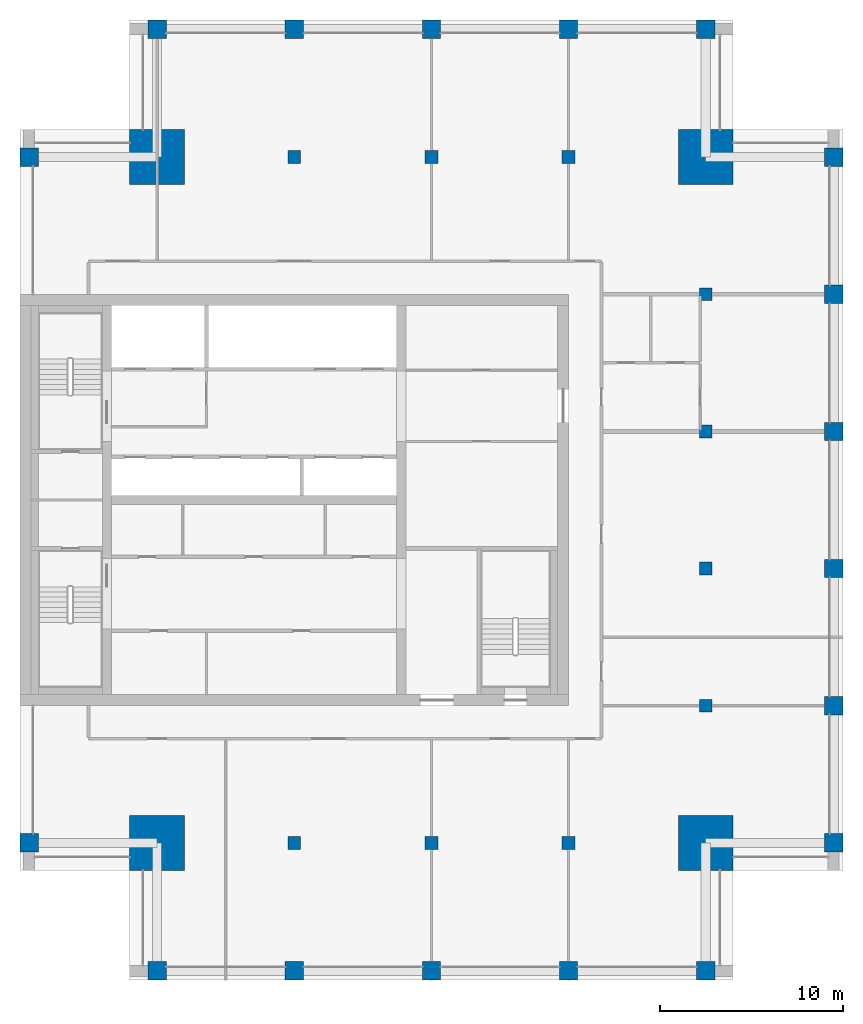
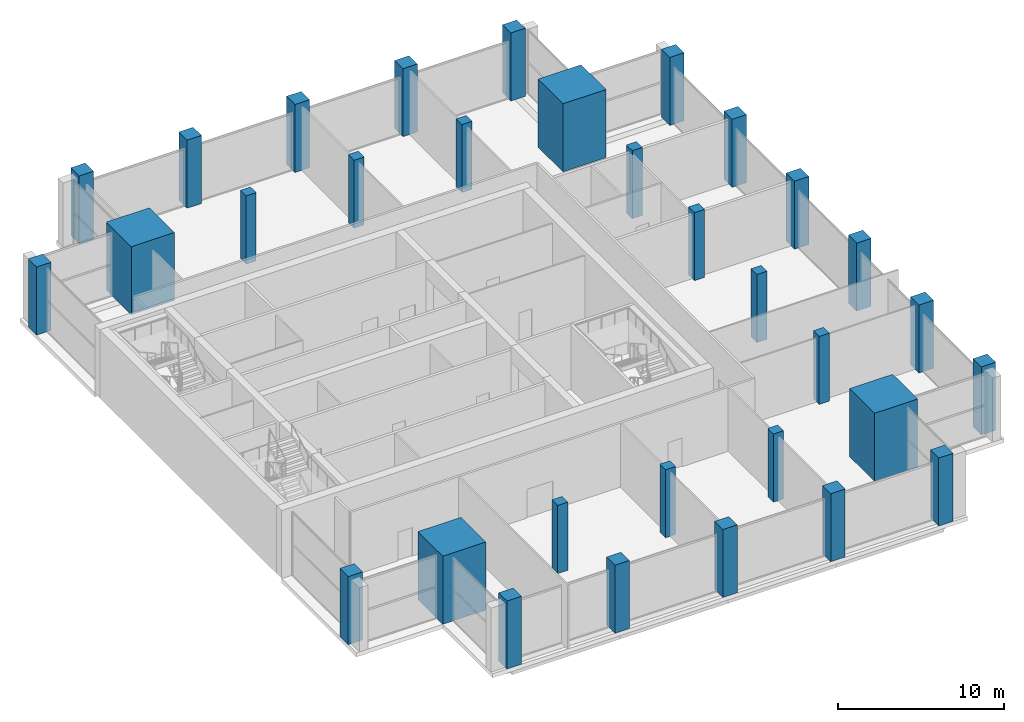
# One storey, part 1 of 15: 32 columns.
"""IFC4 building model written with IfcOpenShell, lengths in metres."""

from ifc_helpers import new_model, si_unit, direction, frame, origin, origin_2d, place, context, subcontext, project, spatial, rectangle, extrude, material, material_profile, profile_set, type_object, element, save


model = new_model("IFC4")

# Units and contexts
model_context = context("Model", 3, precision=1e-05, world=origin(), true_north=direction((0.0, 1.0)))
body_context = subcontext(model_context, "Body", "Model", "MODEL_VIEW")
ifc_project = project(units=[si_unit("LENGTHUNIT", "METRE"), si_unit("AREAUNIT", "SQUARE_METRE"), si_unit("VOLUMEUNIT", "CUBIC_METRE"), si_unit("PLANEANGLEUNIT", "RADIAN"), si_unit("MASSUNIT", "GRAM", prefix="KILO")], contexts=[model_context])

# Site, building, storey
site_placement = place(None, origin())
site = spatial("IfcSite", under=ifc_project, at=site_placement, CompositionType="ELEMENT")
building_placement = place(site_placement, origin())
building = spatial("IfcBuilding", under=site, at=building_placement, Name="Tamorin Gate", CompositionType="ELEMENT")
storey_placement = place(building_placement, frame((0.0, 0.0, 297.699951171875)))
storey = spatial("IfcBuildingStorey", under=building, at=storey_placement, Name="L74", CompositionType="ELEMENT", Elevation=297.699951171875)

# Columns
ifc_material = material(Name="Concrete C50/60", Category="concrete")
ifc_material_profile_1 = material_profile(ifc_material, rectangle(XDim=1.0, YDim=1.0, at=origin_2d()), Name="RC 1000x1000")
ifc_profile_set_1 = profile_set([ifc_material_profile_1], Name="Concrete C50/60")
column_type_1 = type_object("IfcColumnType", Name="RC column 1000x1000 C50/60", PredefinedType="COLUMN", material=ifc_profile_set_1)
for number, where, z_axis, x_axis, name in (
    (1, (30.5, 52.5, 0.0), (0.0, 0.0, 1.0), (1.0, 0.0, 0.0), "Ring column L74"),
    (2, (30.5, 90.0, 0.0), (0.0, 0.0, 1.0), (1.0, 0.0, 0.0), "Ring column L74"),
    (3, (37.5, 45.5, 0.0), (0.0, 0.0, 1.0), (1.0, 0.0, 0.0), "Ring column L74"),
    (4, (37.5, 97.0, 0.0), (0.0, 0.0, 1.0), (1.0, 0.0, 0.0), "Ring column L74"),
    (5, (45.0, 45.5, 0.0), (0.0, 0.0, 1.0), (1.0, 0.0, 0.0), "Ring column L74"),
    (6, (45.0, 97.0, 0.0), (0.0, 0.0, 1.0), (1.0, 0.0, 0.0), "Ring column L74"),
    (7, (52.5, 45.5, 0.0), (0.0, 0.0, 1.0), (1.0, 0.0, 0.0), "Ring column L74"),
    (8, (52.5, 97.0, 0.0), (0.0, 0.0, 1.0), (1.0, 0.0, 0.0), "Ring column L74"),
    (9, (60.0, 45.5, 0.0), (0.0, 0.0, 1.0), (1.0, 0.0, 0.0), "Ring column L74"),
    (10, (60.0, 97.0, 0.0), (0.0, 0.0, 1.0), (1.0, 0.0, 0.0), "Ring column L74"),
    (11, (67.5, 45.5, 0.0), (0.0, 0.0, 1.0), (1.0, 0.0, 0.0), "Ring column L74"),
    (12, (67.5, 97.0, 0.0), (0.0, 0.0, 1.0), (1.0, 0.0, 0.0), "Ring column L74"),
    (13, (74.5, 52.5, 0.0), (0.0, 0.0, 1.0), (1.0, 0.0, 0.0), "Ring column L74"),
    (14, (74.5, 60.0, 0.0), (0.0, 0.0, 1.0), (1.0, 0.0, 0.0), "Ring column L74"),
    (15, (74.5, 67.5, 0.0), (0.0, 0.0, 1.0), (1.0, 0.0, 0.0), "Ring column L74"),
    (16, (74.5, 75.0, 0.0), (0.0, 0.0, 1.0), (1.0, 0.0, 0.0), "Ring column L74"),
    (17, (74.5, 82.5, 0.0), (0.0, 0.0, 1.0), (1.0, 0.0, 0.0), "Ring column L74"),
    (18, (74.5, 90.0, 0.0), (0.0, 0.0, 1.0), (1.0, 0.0, 0.0), "Ring column L74"),
):
    element("IfcColumn", number, at=place(storey_placement, frame(where, z_axis=z_axis, x_axis=x_axis)), inside=storey, type_object=column_type_1, Name=name, PredefinedType="COLUMN", context=body_context, shape_type="SweptSolid", body=[
        extrude(rectangle(XDim=1.0, YDim=1.0, at=origin_2d()), origin(), (0.0, 0.0, 1.0), 5.0),
    ])
ifc_material_profile_2 = material_profile(ifc_material, rectangle(XDim=3.0, YDim=3.0, at=origin_2d()), Name="RC 3000x3000")
ifc_profile_set_2 = profile_set([ifc_material_profile_2], Name="Concrete C50/60")
column_type_2 = type_object("IfcColumnType", Name="RC column 3000x3000 C50/60", PredefinedType="COLUMN", material=ifc_profile_set_2)
for number, where, z_axis, x_axis, name in (
    (19, (37.5, 52.5, 0.0), (0.0, 0.0, 1.0), (1.0, 0.0, 0.0), "Mega column SW L74"),
    (20, (67.5, 52.5, 0.0), (0.0, 0.0, 1.0), (1.0, 0.0, 0.0), "Mega column SE L74"),
    (21, (37.5, 90.0, 0.0), (0.0, 0.0, 1.0), (1.0, 0.0, 0.0), "Mega column NW L74"),
    (22, (67.5, 90.0, 0.0), (0.0, 0.0, 1.0), (1.0, 0.0, 0.0), "Mega column NE L74"),
):
    element("IfcColumn", number, at=place(storey_placement, frame(where, z_axis=z_axis, x_axis=x_axis)), inside=storey, type_object=column_type_2, Name=name, PredefinedType="COLUMN", context=body_context, shape_type="SweptSolid", body=[
        extrude(rectangle(XDim=3.0, YDim=3.0, at=origin_2d()), origin(), (0.0, 0.0, 1.0), 5.0),
    ])
ifc_material_profile_3 = material_profile(ifc_material, rectangle(XDim=0.699951171875, YDim=0.699951171875, at=origin_2d()), Name="RC 700x700")
ifc_profile_set_3 = profile_set([ifc_material_profile_3], Name="Concrete C50/60")
column_type_3 = type_object("IfcColumnType", Name="RC column 700x700 C50/60", PredefinedType="COLUMN", material=ifc_profile_set_3)
for number, where, z_axis, x_axis, name in (
    (23, (45.0, 52.5, 0.0), (0.0, 0.0, 1.0), (1.0, 0.0, 0.0), "Interior column L74"),
    (24, (45.0, 90.0, 0.0), (0.0, 0.0, 1.0), (1.0, 0.0, 0.0), "Interior column L74"),
    (25, (52.5, 52.5, 0.0), (0.0, 0.0, 1.0), (1.0, 0.0, 0.0), "Interior column L74"),
    (26, (52.5, 90.0, 0.0), (0.0, 0.0, 1.0), (1.0, 0.0, 0.0), "Interior column L74"),
    (27, (60.0, 52.5, 0.0), (0.0, 0.0, 1.0), (1.0, 0.0, 0.0), "Interior column L74"),
    (28, (60.0, 90.0, 0.0), (0.0, 0.0, 1.0), (1.0, 0.0, 0.0), "Interior column L74"),
    (29, (67.5, 60.0, 0.0), (0.0, 0.0, 1.0), (1.0, 0.0, 0.0), "Interior column L74"),
    (30, (67.5, 67.5, 0.0), (0.0, 0.0, 1.0), (1.0, 0.0, 0.0), "Interior column L74"),
    (31, (67.5, 75.0, 0.0), (0.0, 0.0, 1.0), (1.0, 0.0, 0.0), "Interior column L74"),
    (32, (67.5, 82.5, 0.0), (0.0, 0.0, 1.0), (1.0, 0.0, 0.0), "Interior column L74"),
):
    element("IfcColumn", number, at=place(storey_placement, frame(where, z_axis=z_axis, x_axis=x_axis)), inside=storey, type_object=column_type_3, Name=name, PredefinedType="COLUMN", context=body_context, shape_type="SweptSolid", body=[
        extrude(rectangle(XDim=0.699951171875, YDim=0.699951171875, at=origin_2d()), origin(), (0.0, 0.0, 1.0), 5.0),
    ])

save(model, "model.ifc")
